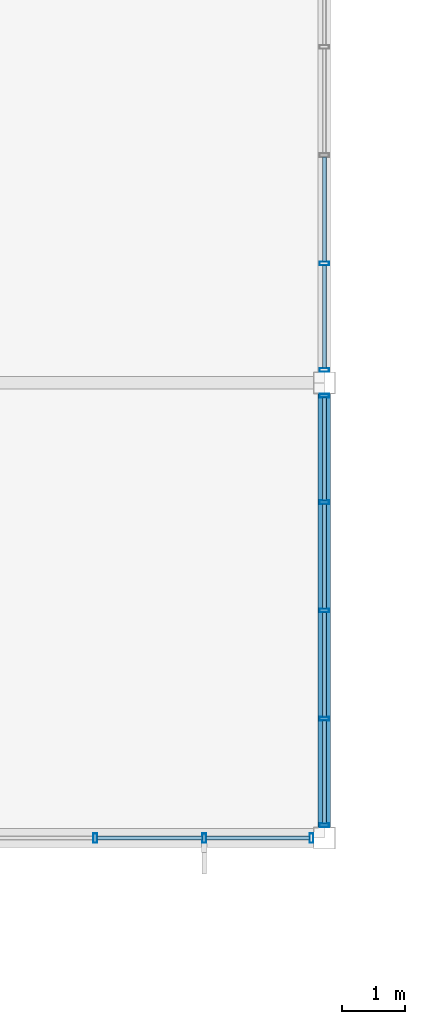
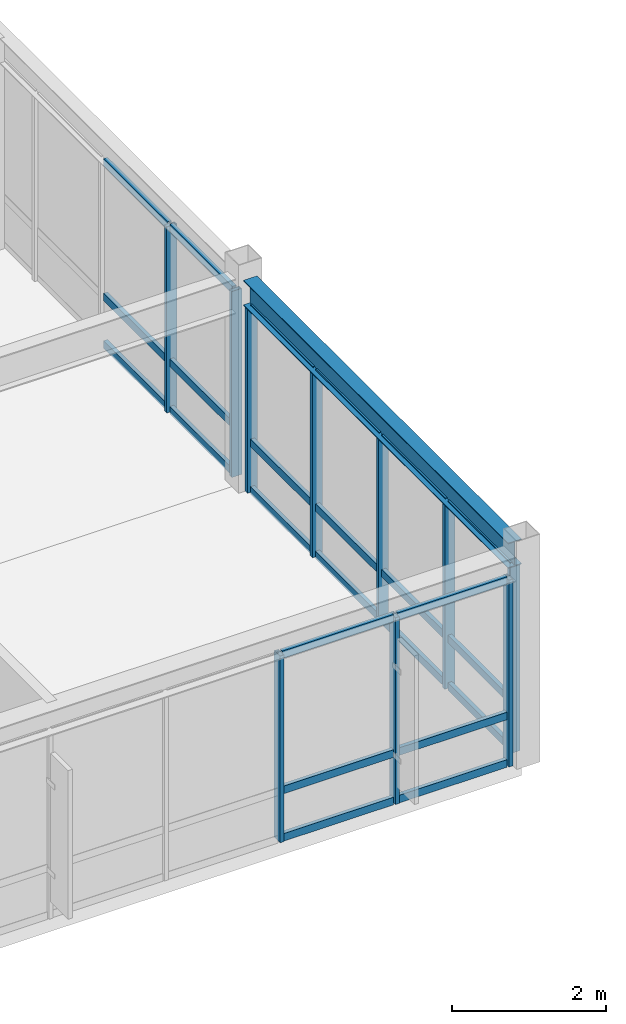
# One storey, part 10 of 34: 34 members, 1 beam, 3 elements without a shape of their own.
"""IFC4 building model written with IfcOpenShell, lengths in metres."""

import ifcopenshell
import ifcopenshell.guid

model = None  # the IFC model being written
_history = None  # IfcOwnerHistory: only IFC2X3 demands one
_inside = {}  # id of a spatial element -> (the spatial element, [elements in it])
_under = {}  # id of a project, library or spatial element -> (it, [spatial elements below it])
_declared = {}  # id of a project -> (the project, [libraries it declares])
_typed = {}  # id of a type object -> (the type object, [elements of that type])
_made_of = {}  # id of a material, layer set ... -> (it, [elements and type objects made of it])


def new_model(schema):
    """Start an empty IFC model of exactly this schema.

    Asked for "IFC4X3", IfcOpenShell would pick the latest addendum, in which some entities
    have other attributes; the version numbers below select the first issue.
    IFC2X3 requires an IfcOwnerHistory on every rooted entity: one is made here for all.
    """
    global model, _history
    if schema == "IFC4X3":
        model = ifcopenshell.file(schema_version=(4, 3, 0, 0))
    else:
        model = ifcopenshell.file(schema=schema)
    _inside.clear()
    _under.clear()
    _declared.clear()
    _typed.clear()
    _made_of.clear()
    _history = None
    if model.schema == "IFC2X3":
        org = make("IfcOrganization", Name="unknown")
        user = make(
            "IfcPersonAndOrganization",
            ThePerson=make("IfcPerson", FamilyName="unknown"),
            TheOrganization=org,
        )
        app = make(
            "IfcApplication",
            ApplicationDeveloper=org,
            Version="unknown",
            ApplicationFullName="unknown",
            ApplicationIdentifier="unknown",
        )
        _history = make(
            "IfcOwnerHistory",
            OwningUser=user,
            OwningApplication=app,
            ChangeAction="ADDED",
            CreationDate=0,
        )
    return model


def make(cls, **values):
    """One entity of the class cls with the attributes given. An attribute that is None is left unset."""
    return model.create_entity(
        cls, **{name: value for name, value in values.items() if value is not None}
    )


def rooted(cls, **values):
    """An entity with a GlobalId (a new one), such as an element, a storey or a relation."""
    return make(cls, GlobalId=ifcopenshell.guid.new(), OwnerHistory=_history, **values)


def si_unit(unit_type, name, prefix=None):
    """IfcSIUnit, for example si_unit("LENGTHUNIT", "METRE", prefix="MILLI")."""
    return make("IfcSIUnit", UnitType=unit_type, Prefix=prefix, Name=name)


def assignment(units):
    """IfcUnitAssignment: the units of a project."""
    return None if units is None else make("IfcUnitAssignment", Units=units)


def point(xyz):
    """IfcCartesianPoint."""
    return None if xyz is None else make("IfcCartesianPoint", Coordinates=xyz)


def direction(xyz):
    """IfcDirection."""
    return None if xyz is None else make("IfcDirection", DirectionRatios=xyz)


def frame(location, z_axis=None, x_axis=None):
    """IfcAxis2Placement3D, a coordinate frame: its origin and axes. An axis left out is left unset."""
    return make(
        "IfcAxis2Placement3D",
        Location=point(location),
        Axis=direction(z_axis),
        RefDirection=direction(x_axis),
    )


def frame_2d(location, x_axis=None):
    """IfcAxis2Placement2D, a coordinate frame in the plane: its origin and x axis."""
    return make(
        "IfcAxis2Placement2D", Location=point(location), RefDirection=direction(x_axis)
    )


def origin():
    """The frame at (0, 0, 0) with its axes left unset."""
    return frame((0.0, 0.0, 0.0))


def origin_2d():
    """The frame at (0, 0) in the plane with its x axis left unset."""
    return frame_2d((0.0, 0.0))


def place(relative_to, where):
    """IfcLocalPlacement: puts the frame where relative to a parent placement (None: the world)."""
    return make(
        "IfcLocalPlacement", PlacementRelTo=relative_to, RelativePlacement=where
    )


def context(
    kind, dimensions, precision=None, world=None, true_north=None, identifier=None
):
    """IfcGeometricRepresentationContext, for example the 3D "Model" context."""
    return make(
        "IfcGeometricRepresentationContext",
        ContextIdentifier=identifier,
        ContextType=kind,
        CoordinateSpaceDimension=dimensions,
        Precision=precision,
        WorldCoordinateSystem=world,
        TrueNorth=true_north,
    )


def subcontext(parent, identifier, kind, view, scale=None):
    """IfcGeometricRepresentationSubContext, for example "Body" below "Model"."""
    return make(
        "IfcGeometricRepresentationSubContext",
        ContextIdentifier=identifier,
        ContextType=kind,
        ParentContext=parent,
        TargetScale=scale,
        TargetView=view,
    )


def project(units=None, contexts=None):
    """IfcProject with its units and contexts."""
    return rooted(
        "IfcProject",
        Name="project",
        RepresentationContexts=contexts,
        UnitsInContext=assignment(units),
    )


def spatial(cls, under=None, at=None, **own):
    """A site, building, storey or space (cls), placed at a placement, below another one or the project."""
    s = rooted(cls, ObjectPlacement=at, **own)
    if under is not None:
        _under.setdefault(under.id(), (under, []))[1].append(s)
    return s


def profile(cls, at=None, kind="AREA", **sizes):
    """A parametric profile (cls). Its sizes go by their IFC names, for example OverallWidth=200.0."""
    return make(cls, ProfileType=kind, Position=at, **sizes)


def hollow_rectangle(**sizes):
    """IfcRectangleHollowProfileDef."""
    return profile("IfcRectangleHollowProfileDef", **sizes)


def i_section(**sizes):
    """IfcIShapeProfileDef."""
    return profile("IfcIShapeProfileDef", **sizes)


def extrude(swept, where, along, depth):
    """IfcExtrudedAreaSolid: the profile swept, set in the frame where, extruded along a direction by depth."""
    return make(
        "IfcExtrudedAreaSolid",
        SweptArea=swept,
        Position=where,
        ExtrudedDirection=direction(along),
        Depth=depth,
    )


def shape(context_of_items, identifier, shape_type, items):
    """IfcShapeRepresentation: the items that make up one representation, for example the "Body"."""
    return make(
        "IfcShapeRepresentation",
        ContextOfItems=context_of_items,
        RepresentationIdentifier=identifier,
        RepresentationType=shape_type,
        Items=items,
    )


def material(Name=None, Category=None):
    """IfcMaterial."""
    return make("IfcMaterial", Name=Name, Category=Category)


def material_profile(
    of_material, cross_section, Name=None, Category=None, Priority=None
):
    """IfcMaterialProfile: a cross section and its material."""
    return make(
        "IfcMaterialProfile",
        Name=Name,
        Material=of_material,
        Profile=cross_section,
        Priority=Priority,
        Category=Category,
    )


def profile_set(profiles, Name=None, composite=None):
    """IfcMaterialProfileSet."""
    return make(
        "IfcMaterialProfileSet",
        Name=Name,
        MaterialProfiles=profiles,
        CompositeProfile=composite,
    )


def made_of(thing, what):
    """Note that an element or type object is made of a material, layer set ...; save() writes the relation."""
    if what is not None:
        _made_of.setdefault(what.id(), (what, []))[1].append(thing)
    return thing


def type_object(cls, material=None, **own):
    """A type object (cls), such as IfcWallType, which elements share."""
    return made_of(rooted(cls, **own), material)


def element(
    cls,
    number,
    at=None,
    inside=None,
    cuts=None,
    type_object=None,
    material=None,
    context=None,
    identifier="Body",
    shape_type=None,
    held_by="IfcProductDefinitionShape",
    body=None,
    shapes=None,
    **own,
):
    """One element of the class cls, such as IfcWall. Its Tag is "e" and its number.

    at: its placement. inside: the storey or other place that contains it. cuts: it is an
    opening in that element (IfcRelVoidsElement). A single representation is given by context,
    identifier, shape_type and body (its items); several are given by shapes. held_by: the class
    of the entity that holds the representations. save() writes the other relations.
    """
    e = rooted(cls, Tag="e%d" % number, ObjectPlacement=at, **own)
    if body is not None:
        shapes = [shape(context, identifier, shape_type, body)]
    if shapes is not None:
        e.Representation = make(held_by, Representations=shapes)
    if inside is not None:
        _inside.setdefault(inside.id(), (inside, []))[1].append(e)
    if cuts is not None:
        rooted(
            "IfcRelVoidsElement", RelatingBuildingElement=cuts, RelatedOpeningElement=e
        )
    if type_object is not None:
        _typed.setdefault(type_object.id(), (type_object, []))[1].append(e)
    return made_of(e, material)


def aggregate(whole, parts):
    """IfcRelAggregates: a whole, such as a stair, and the parts it consists of."""
    return rooted("IfcRelAggregates", RelatingObject=whole, RelatedObjects=parts)


def save(model, path):
    """Write the relations noted so far, then the file.

    IfcRelAggregates (storeys below a building ...), IfcRelContainedInSpatialStructure (elements
    in a storey), IfcRelDefinesByType, IfcRelAssociatesMaterial and IfcRelDeclares: one each for
    every whole, place, type object, material and project.
    """
    for whole, parts in _under.values():
        aggregate(whole, parts)
    for where, things in _inside.values():
        rooted(
            "IfcRelContainedInSpatialStructure",
            RelatedElements=things,
            RelatingStructure=where,
        )
    for kind, things in _typed.values():
        rooted("IfcRelDefinesByType", RelatedObjects=things, RelatingType=kind)
    for what, things in _made_of.values():
        rooted("IfcRelAssociatesMaterial", RelatedObjects=things, RelatingMaterial=what)
    for by, libraries in _declared.values():
        rooted("IfcRelDeclares", RelatingContext=by, RelatedDefinitions=libraries)
    model.write(path)


model = new_model("IFC4")

# Units and contexts
model_context = context("Model", 3, precision=1e-05, world=origin(), true_north=direction((0.0, 1.0)))
body_context = subcontext(model_context, "Body", "Model", "MODEL_VIEW")
ifc_project = project(units=[si_unit("LENGTHUNIT", "METRE"), si_unit("AREAUNIT", "SQUARE_METRE"), si_unit("VOLUMEUNIT", "CUBIC_METRE"), si_unit("PLANEANGLEUNIT", "RADIAN"), si_unit("MASSUNIT", "GRAM", prefix="KILO")], contexts=[model_context])

# Site, building, storey
site_placement = place(None, origin())
site = spatial("IfcSite", under=ifc_project, at=site_placement, CompositionType="ELEMENT")
building_placement = place(site_placement, origin())
building = spatial("IfcBuilding", under=site, at=building_placement, Name="Kazanami Central Library", CompositionType="ELEMENT")
storey_placement = place(building_placement, frame((0.0, 0.0, 17.0)))
storey = spatial("IfcBuildingStorey", under=building, at=storey_placement, Name="L05", CompositionType="ELEMENT", Elevation=17.0)

# Beam
ifc_material_1 = material(Name="Steel SN490B (325 MPa)", Category="steel")
ifc_material_profile_1 = material_profile(ifc_material_1, i_section(OverallWidth=0.199951171875, OverallDepth=0.39990234375, WebThickness=0.008056640625, FlangeThickness=0.012939453125, at=origin_2d()), Name="H-400x200x8x13")
ifc_profile_set_1 = profile_set([ifc_material_profile_1], Name="Steel SN490B (325 MPa)")
beam_type = type_object("IfcBeamType", Name="BM-SP-3", PredefinedType="SPANDREL", material=ifc_profile_set_1)
beam_placement = place(storey_placement, frame((36.0, 64.972900390625, 3.139892578125), z_axis=(0.0, 1.0, 0.0), x_axis=(-1.0, 0.0, 0.0)))
element("IfcBeam", 1, at=beam_placement, inside=storey, type_object=beam_type, Name="Girder SP-3 L05 5/K-L", PredefinedType="SPANDREL", context=body_context, shape_type="SweptSolid", body=[
    extrude(i_section(OverallWidth=0.199951171875, OverallDepth=0.39990234375, WebThickness=0.008056640625, FlangeThickness=0.012939453125, at=origin_2d()), origin(), (0.0, 0.0, 1.0), 6.85400390625),
])

# Curtain wall, members
ifc_material_2 = material(Name="Acid-Etched Low-E Laminated Glass", Category="glass")
curtain_wall_type_1 = type_object("IfcCurtainWallType", Name="CW-8625x2950-M180", PredefinedType="USERDEFINED", material=ifc_material_2)
curtain_wall_1_placement = place(storey_placement, origin())
curtain_wall_1 = element("IfcCurtainWall", 2, at=curtain_wall_1_placement, inside=storey, type_object=curtain_wall_type_1, Name="Unitised Curtain Wall CW-51 L05 S-K-03", ObjectType="UNITISED CURTAIN WALL", PredefinedType="USERDEFINED")
ifc_material_3 = material(Name="Anodised Aluminium A6063-T5", Category="aluminium")
ifc_material_profile_2 = material_profile(ifc_material_3, hollow_rectangle(XDim=0.06005859375, YDim=0.14990234375, WallThickness=0.00390625, at=origin_2d()), Name="ALU-MULL-60x150x4")
ifc_profile_set_2 = profile_set([ifc_material_profile_2], Name="Anodised Aluminium A6063-T5")
member_type_1 = type_object("IfcMemberType", Name="MEM-CW-M3", PredefinedType="MULLION", material=ifc_profile_set_2)
member_1_placement = place(storey_placement, frame((32.375, 64.800048828125, 0.0), z_axis=(0.0, 0.0, 1.0), x_axis=(1.0, 0.0, 0.0)))
member_1 = element("IfcMember", 3, at=member_1_placement, type_object=member_type_1, Name="CW-51 mullion 4", PredefinedType="MULLION", context=body_context, shape_type="SweptSolid", body=[
    extrude(hollow_rectangle(XDim=0.06005859375, YDim=0.14990234375, WallThickness=0.00390625, at=origin_2d()), origin(), (0.0, 0.0, 1.0), 2.949951171875),
])
member_2_placement = place(storey_placement, frame((34.10009765625, 64.800048828125, 0.0), z_axis=(0.0, 0.0, 1.0), x_axis=(1.0, 0.0, 0.0)))
member_2 = element("IfcMember", 4, at=member_2_placement, type_object=member_type_1, Name="CW-51 mullion 5", PredefinedType="MULLION", context=body_context, shape_type="SweptSolid", body=[
    extrude(hollow_rectangle(XDim=0.06005859375, YDim=0.14990234375, WallThickness=0.00390625, at=origin_2d()), origin(), (0.0, 0.0, 1.0), 2.949951171875),
])
member_3_placement = place(storey_placement, frame((35.794921875, 64.800048828125, 0.0), z_axis=(0.0, 0.0, 1.0), x_axis=(1.0, 0.0, 0.0)))
member_3 = element("IfcMember", 5, at=member_3_placement, type_object=member_type_1, Name="CW-51 mullion 6", PredefinedType="MULLION", context=body_context, shape_type="SweptSolid", body=[
    extrude(hollow_rectangle(XDim=0.06005859375, YDim=0.14990234375, WallThickness=0.00390625, at=origin_2d()), origin(), (0.0, 0.0, 1.0), 2.949951171875),
])

curtain_wall_type_2 = type_object("IfcCurtainWallType", Name="CW-6850x2940-M180", PredefinedType="USERDEFINED", material=ifc_material_2)
curtain_wall_2_placement = place(storey_placement, origin())
curtain_wall_2 = element("IfcCurtainWall", 6, at=curtain_wall_2_placement, inside=storey, type_object=curtain_wall_type_2, Name="Covered Link Bridge Curtain Wall CW-52 L05 E-5-09", ObjectType="UNITISED CURTAIN WALL", PredefinedType="USERDEFINED")
member_4_placement = place(storey_placement, frame((36.0, 71.794921875, 0.0), z_axis=(0.0, 0.0, 1.0), x_axis=(0.0, -1.0, 0.0)))
member_4 = element("IfcMember", 7, at=member_4_placement, type_object=member_type_1, Name="CW-52 mullion 1", PredefinedType="MULLION", context=body_context, shape_type="SweptSolid", body=[
    extrude(hollow_rectangle(XDim=0.06005859375, YDim=0.14990234375, WallThickness=0.00390625, at=origin_2d()), origin(), (0.0, 0.0, 1.0), 2.93994140625),
])
member_5_placement = place(storey_placement, frame((36.0, 70.112548828125, 0.0), z_axis=(0.0, 0.0, 1.0), x_axis=(0.0, -1.0, 0.0)))
member_5 = element("IfcMember", 8, at=member_5_placement, type_object=member_type_1, Name="CW-52 mullion 2", PredefinedType="MULLION", context=body_context, shape_type="SweptSolid", body=[
    extrude(hollow_rectangle(XDim=0.06005859375, YDim=0.14990234375, WallThickness=0.00390625, at=origin_2d()), origin(), (0.0, 0.0, 1.0), 2.93994140625),
])
member_6_placement = place(storey_placement, frame((36.0, 68.39990234375, 0.0), z_axis=(0.0, 0.0, 1.0), x_axis=(0.0, -1.0, 0.0)))
member_6 = element("IfcMember", 9, at=member_6_placement, type_object=member_type_1, Name="CW-52 mullion 3", PredefinedType="MULLION", context=body_context, shape_type="SweptSolid", body=[
    extrude(hollow_rectangle(XDim=0.06005859375, YDim=0.14990234375, WallThickness=0.00390625, at=origin_2d()), origin(), (0.0, 0.0, 1.0), 2.93994140625),
])
member_7_placement = place(storey_placement, frame((36.0, 66.6875, 0.0), z_axis=(0.0, 0.0, 1.0), x_axis=(0.0, -1.0, 0.0)))
member_7 = element("IfcMember", 10, at=member_7_placement, type_object=member_type_1, Name="CW-52 mullion 4", PredefinedType="MULLION", context=body_context, shape_type="SweptSolid", body=[
    extrude(hollow_rectangle(XDim=0.06005859375, YDim=0.14990234375, WallThickness=0.00390625, at=origin_2d()), origin(), (0.0, 0.0, 1.0), 2.93994140625),
])
member_8_placement = place(storey_placement, frame((36.0, 65.0048828125, 0.0), z_axis=(0.0, 0.0, 1.0), x_axis=(0.0, -1.0, 0.0)))
member_8 = element("IfcMember", 11, at=member_8_placement, type_object=member_type_1, Name="CW-52 mullion 5", PredefinedType="MULLION", context=body_context, shape_type="SweptSolid", body=[
    extrude(hollow_rectangle(XDim=0.06005859375, YDim=0.14990234375, WallThickness=0.00390625, at=origin_2d()), origin(), (0.0, 0.0, 1.0), 2.93994140625),
])

curtain_wall_3_placement = place(storey_placement, origin())
curtain_wall_3 = element("IfcCurtainWall", 12, at=curtain_wall_3_placement, inside=storey, type_object=curtain_wall_type_2, Name="Covered Link Bridge Curtain Wall CW-52 L05 E-5-10", ObjectType="UNITISED CURTAIN WALL", PredefinedType="USERDEFINED")
member_9_placement = place(storey_placement, frame((36.0, 73.887451171875, 0.0), z_axis=(0.0, 0.0, 1.0), x_axis=(0.0, -1.0, 0.0)))
member_9 = element("IfcMember", 13, at=member_9_placement, type_object=member_type_1, Name="CW-52 mullion 4", PredefinedType="MULLION", context=body_context, shape_type="SweptSolid", body=[
    extrude(hollow_rectangle(XDim=0.06005859375, YDim=0.14990234375, WallThickness=0.00390625, at=origin_2d()), origin(), (0.0, 0.0, 1.0), 2.93994140625),
])
member_10_placement = place(storey_placement, frame((36.0, 72.205078125, 0.0), z_axis=(0.0, 0.0, 1.0), x_axis=(0.0, -1.0, 0.0)))
member_10 = element("IfcMember", 14, at=member_10_placement, type_object=member_type_1, Name="CW-52 mullion 5", PredefinedType="MULLION", context=body_context, shape_type="SweptSolid", body=[
    extrude(hollow_rectangle(XDim=0.06005859375, YDim=0.14990234375, WallThickness=0.00390625, at=origin_2d()), origin(), (0.0, 0.0, 1.0), 2.93994140625),
])

# Member
ifc_material_profile_3 = material_profile(ifc_material_3, hollow_rectangle(XDim=0.06005859375, YDim=0.1201171875, WallThickness=0.00341796875, at=origin_2d()), Name="ALU-TRAN-60x120x3.5")
ifc_profile_set_3 = profile_set([ifc_material_profile_3], Name="Anodised Aluminium A6063-T5")
member_type_2 = type_object("IfcMemberType", Name="MEM-CW-T3", PredefinedType="USERDEFINED", material=ifc_profile_set_3)
member_11_placement = place(storey_placement, frame((32.405029296875, 64.800048828125, 0.030029296875), z_axis=(1.0, 0.0, 0.0), x_axis=(0.0, 1.0, 0.0)))
member_11 = element("IfcMember", 15, at=member_11_placement, type_object=member_type_2, Name="CW-51 transom 4.1", ObjectType="TRANSOM", PredefinedType="USERDEFINED", context=body_context, shape_type="SweptSolid", body=[
    extrude(hollow_rectangle(XDim=0.06005859375, YDim=0.1201171875, WallThickness=0.00341796875, at=origin_2d()), origin(), (0.0, 0.0, 1.0), 1.6650390625),
])

member_12_placement = place(storey_placement, frame((32.405029296875, 64.800048828125, 0.780029296875), z_axis=(1.0, 0.0, 0.0), x_axis=(0.0, 1.0, 0.0)))
member_12 = element("IfcMember", 16, at=member_12_placement, type_object=member_type_2, Name="CW-51 transom 4.2", ObjectType="TRANSOM", PredefinedType="USERDEFINED", context=body_context, shape_type="SweptSolid", body=[
    extrude(hollow_rectangle(XDim=0.06005859375, YDim=0.1201171875, WallThickness=0.00341796875, at=origin_2d()), origin(), (0.0, 0.0, 1.0), 1.6650390625),
])

member_13_placement = place(storey_placement, frame((32.405029296875, 64.800048828125, 2.919921875), z_axis=(1.0, 0.0, 0.0), x_axis=(0.0, 1.0, 0.0)))
member_13 = element("IfcMember", 17, at=member_13_placement, type_object=member_type_2, Name="CW-51 transom 4.3", ObjectType="TRANSOM", PredefinedType="USERDEFINED", context=body_context, shape_type="SweptSolid", body=[
    extrude(hollow_rectangle(XDim=0.06005859375, YDim=0.1201171875, WallThickness=0.00341796875, at=origin_2d()), origin(), (0.0, 0.0, 1.0), 1.6650390625),
])

member_14_placement = place(storey_placement, frame((34.1298828125, 64.800048828125, 0.030029296875), z_axis=(1.0, 0.0, 0.0), x_axis=(0.0, 1.0, 0.0)))
member_14 = element("IfcMember", 18, at=member_14_placement, type_object=member_type_2, Name="CW-51 transom 5.1", ObjectType="TRANSOM", PredefinedType="USERDEFINED", context=body_context, shape_type="SweptSolid", body=[
    extrude(hollow_rectangle(XDim=0.06005859375, YDim=0.1201171875, WallThickness=0.00341796875, at=origin_2d()), origin(), (0.0, 0.0, 1.0), 1.635009765625),
])

member_15_placement = place(storey_placement, frame((34.1298828125, 64.800048828125, 0.780029296875), z_axis=(1.0, 0.0, 0.0), x_axis=(0.0, 1.0, 0.0)))
member_15 = element("IfcMember", 19, at=member_15_placement, type_object=member_type_2, Name="CW-51 transom 5.2", ObjectType="TRANSOM", PredefinedType="USERDEFINED", context=body_context, shape_type="SweptSolid", body=[
    extrude(hollow_rectangle(XDim=0.06005859375, YDim=0.1201171875, WallThickness=0.00341796875, at=origin_2d()), origin(), (0.0, 0.0, 1.0), 1.635009765625),
])

member_16_placement = place(storey_placement, frame((34.1298828125, 64.800048828125, 2.919921875), z_axis=(1.0, 0.0, 0.0), x_axis=(0.0, 1.0, 0.0)))
member_16 = element("IfcMember", 20, at=member_16_placement, type_object=member_type_2, Name="CW-51 transom 5.3", ObjectType="TRANSOM", PredefinedType="USERDEFINED", context=body_context, shape_type="SweptSolid", body=[
    extrude(hollow_rectangle(XDim=0.06005859375, YDim=0.1201171875, WallThickness=0.00341796875, at=origin_2d()), origin(), (0.0, 0.0, 1.0), 1.635009765625),
])

aggregate(curtain_wall_1, [member_1, member_2, member_3, member_11, member_12, member_13, member_14, member_15, member_16])

member_17_placement = place(storey_placement, frame((36.0, 71.764892578125, 0.030029296875), z_axis=(0.0, -1.0, 0.0), x_axis=(1.0, 0.0, 0.0)))
member_17 = element("IfcMember", 21, at=member_17_placement, type_object=member_type_2, Name="CW-52 transom 1.1", ObjectType="TRANSOM", PredefinedType="USERDEFINED", context=body_context, shape_type="SweptSolid", body=[
    extrude(hollow_rectangle(XDim=0.06005859375, YDim=0.1201171875, WallThickness=0.00341796875, at=origin_2d()), origin(), (0.0, 0.0, 1.0), 1.622314453125),
])

member_18_placement = place(storey_placement, frame((36.0, 71.764892578125, 0.780029296875), z_axis=(0.0, -1.0, 0.0), x_axis=(1.0, 0.0, 0.0)))
member_18 = element("IfcMember", 22, at=member_18_placement, type_object=member_type_2, Name="CW-52 transom 1.2", ObjectType="TRANSOM", PredefinedType="USERDEFINED", context=body_context, shape_type="SweptSolid", body=[
    extrude(hollow_rectangle(XDim=0.06005859375, YDim=0.1201171875, WallThickness=0.00341796875, at=origin_2d()), origin(), (0.0, 0.0, 1.0), 1.622314453125),
])

member_19_placement = place(storey_placement, frame((36.0, 71.764892578125, 2.909912109375), z_axis=(0.0, -1.0, 0.0), x_axis=(1.0, 0.0, 0.0)))
member_19 = element("IfcMember", 23, at=member_19_placement, type_object=member_type_2, Name="CW-52 transom 1.3", ObjectType="TRANSOM", PredefinedType="USERDEFINED", context=body_context, shape_type="SweptSolid", body=[
    extrude(hollow_rectangle(XDim=0.06005859375, YDim=0.1201171875, WallThickness=0.00341796875, at=origin_2d()), origin(), (0.0, 0.0, 1.0), 1.622314453125),
])

member_20_placement = place(storey_placement, frame((36.0, 70.08251953125, 0.030029296875), z_axis=(0.0, -1.0, 0.0), x_axis=(1.0, 0.0, 0.0)))
member_20 = element("IfcMember", 24, at=member_20_placement, type_object=member_type_2, Name="CW-52 transom 2.1", ObjectType="TRANSOM", PredefinedType="USERDEFINED", context=body_context, shape_type="SweptSolid", body=[
    extrude(hollow_rectangle(XDim=0.06005859375, YDim=0.1201171875, WallThickness=0.00341796875, at=origin_2d()), origin(), (0.0, 0.0, 1.0), 1.652587890625),
])

member_21_placement = place(storey_placement, frame((36.0, 70.08251953125, 0.780029296875), z_axis=(0.0, -1.0, 0.0), x_axis=(1.0, 0.0, 0.0)))
member_21 = element("IfcMember", 25, at=member_21_placement, type_object=member_type_2, Name="CW-52 transom 2.2", ObjectType="TRANSOM", PredefinedType="USERDEFINED", context=body_context, shape_type="SweptSolid", body=[
    extrude(hollow_rectangle(XDim=0.06005859375, YDim=0.1201171875, WallThickness=0.00341796875, at=origin_2d()), origin(), (0.0, 0.0, 1.0), 1.652587890625),
])

member_22_placement = place(storey_placement, frame((36.0, 70.08251953125, 2.909912109375), z_axis=(0.0, -1.0, 0.0), x_axis=(1.0, 0.0, 0.0)))
member_22 = element("IfcMember", 26, at=member_22_placement, type_object=member_type_2, Name="CW-52 transom 2.3", ObjectType="TRANSOM", PredefinedType="USERDEFINED", context=body_context, shape_type="SweptSolid", body=[
    extrude(hollow_rectangle(XDim=0.06005859375, YDim=0.1201171875, WallThickness=0.00341796875, at=origin_2d()), origin(), (0.0, 0.0, 1.0), 1.652587890625),
])

member_23_placement = place(storey_placement, frame((36.0, 68.3701171875, 0.030029296875), z_axis=(0.0, -1.0, 0.0), x_axis=(1.0, 0.0, 0.0)))
member_23 = element("IfcMember", 27, at=member_23_placement, type_object=member_type_2, Name="CW-52 transom 3.1", ObjectType="TRANSOM", PredefinedType="USERDEFINED", context=body_context, shape_type="SweptSolid", body=[
    extrude(hollow_rectangle(XDim=0.06005859375, YDim=0.1201171875, WallThickness=0.00341796875, at=origin_2d()), origin(), (0.0, 0.0, 1.0), 1.652587890625),
])

member_24_placement = place(storey_placement, frame((36.0, 68.3701171875, 0.780029296875), z_axis=(0.0, -1.0, 0.0), x_axis=(1.0, 0.0, 0.0)))
member_24 = element("IfcMember", 28, at=member_24_placement, type_object=member_type_2, Name="CW-52 transom 3.2", ObjectType="TRANSOM", PredefinedType="USERDEFINED", context=body_context, shape_type="SweptSolid", body=[
    extrude(hollow_rectangle(XDim=0.06005859375, YDim=0.1201171875, WallThickness=0.00341796875, at=origin_2d()), origin(), (0.0, 0.0, 1.0), 1.652587890625),
])

member_25_placement = place(storey_placement, frame((36.0, 68.3701171875, 2.909912109375), z_axis=(0.0, -1.0, 0.0), x_axis=(1.0, 0.0, 0.0)))
member_25 = element("IfcMember", 29, at=member_25_placement, type_object=member_type_2, Name="CW-52 transom 3.3", ObjectType="TRANSOM", PredefinedType="USERDEFINED", context=body_context, shape_type="SweptSolid", body=[
    extrude(hollow_rectangle(XDim=0.06005859375, YDim=0.1201171875, WallThickness=0.00341796875, at=origin_2d()), origin(), (0.0, 0.0, 1.0), 1.652587890625),
])

member_26_placement = place(storey_placement, frame((36.0, 66.657470703125, 0.030029296875), z_axis=(0.0, -1.0, 0.0), x_axis=(1.0, 0.0, 0.0)))
member_26 = element("IfcMember", 30, at=member_26_placement, type_object=member_type_2, Name="CW-52 transom 4.1", ObjectType="TRANSOM", PredefinedType="USERDEFINED", context=body_context, shape_type="SweptSolid", body=[
    extrude(hollow_rectangle(XDim=0.06005859375, YDim=0.1201171875, WallThickness=0.00341796875, at=origin_2d()), origin(), (0.0, 0.0, 1.0), 1.62255859375),
])

member_27_placement = place(storey_placement, frame((36.0, 66.657470703125, 0.780029296875), z_axis=(0.0, -1.0, 0.0), x_axis=(1.0, 0.0, 0.0)))
member_27 = element("IfcMember", 31, at=member_27_placement, type_object=member_type_2, Name="CW-52 transom 4.2", ObjectType="TRANSOM", PredefinedType="USERDEFINED", context=body_context, shape_type="SweptSolid", body=[
    extrude(hollow_rectangle(XDim=0.06005859375, YDim=0.1201171875, WallThickness=0.00341796875, at=origin_2d()), origin(), (0.0, 0.0, 1.0), 1.62255859375),
])

member_28_placement = place(storey_placement, frame((36.0, 66.657470703125, 2.909912109375), z_axis=(0.0, -1.0, 0.0), x_axis=(1.0, 0.0, 0.0)))
member_28 = element("IfcMember", 32, at=member_28_placement, type_object=member_type_2, Name="CW-52 transom 4.3", ObjectType="TRANSOM", PredefinedType="USERDEFINED", context=body_context, shape_type="SweptSolid", body=[
    extrude(hollow_rectangle(XDim=0.06005859375, YDim=0.1201171875, WallThickness=0.00341796875, at=origin_2d()), origin(), (0.0, 0.0, 1.0), 1.62255859375),
])

aggregate(curtain_wall_2, [member_4, member_5, member_6, member_7, member_8, member_17, member_18, member_19, member_20, member_21, member_22, member_23, member_24, member_25, member_26, member_27, member_28])

member_29_placement = place(storey_placement, frame((36.0, 75.570068359375, 0.030029296875), z_axis=(0.0, -1.0, 0.0), x_axis=(1.0, 0.0, 0.0)))
member_29 = element("IfcMember", 33, at=member_29_placement, type_object=member_type_2, Name="CW-52 transom 3.1", ObjectType="TRANSOM", PredefinedType="USERDEFINED", context=body_context, shape_type="SweptSolid", body=[
    extrude(hollow_rectangle(XDim=0.06005859375, YDim=0.1201171875, WallThickness=0.00341796875, at=origin_2d()), origin(), (0.0, 0.0, 1.0), 1.652587890625),
])

member_30_placement = place(storey_placement, frame((36.0, 75.570068359375, 0.780029296875), z_axis=(0.0, -1.0, 0.0), x_axis=(1.0, 0.0, 0.0)))
member_30 = element("IfcMember", 34, at=member_30_placement, type_object=member_type_2, Name="CW-52 transom 3.2", ObjectType="TRANSOM", PredefinedType="USERDEFINED", context=body_context, shape_type="SweptSolid", body=[
    extrude(hollow_rectangle(XDim=0.06005859375, YDim=0.1201171875, WallThickness=0.00341796875, at=origin_2d()), origin(), (0.0, 0.0, 1.0), 1.652587890625),
])

member_31_placement = place(storey_placement, frame((36.0, 75.570068359375, 2.909912109375), z_axis=(0.0, -1.0, 0.0), x_axis=(1.0, 0.0, 0.0)))
member_31 = element("IfcMember", 35, at=member_31_placement, type_object=member_type_2, Name="CW-52 transom 3.3", ObjectType="TRANSOM", PredefinedType="USERDEFINED", context=body_context, shape_type="SweptSolid", body=[
    extrude(hollow_rectangle(XDim=0.06005859375, YDim=0.1201171875, WallThickness=0.00341796875, at=origin_2d()), origin(), (0.0, 0.0, 1.0), 1.652587890625),
])

member_32_placement = place(storey_placement, frame((36.0, 73.857421875, 0.030029296875), z_axis=(0.0, -1.0, 0.0), x_axis=(1.0, 0.0, 0.0)))
member_32 = element("IfcMember", 36, at=member_32_placement, type_object=member_type_2, Name="CW-52 transom 4.1", ObjectType="TRANSOM", PredefinedType="USERDEFINED", context=body_context, shape_type="SweptSolid", body=[
    extrude(hollow_rectangle(XDim=0.06005859375, YDim=0.1201171875, WallThickness=0.00341796875, at=origin_2d()), origin(), (0.0, 0.0, 1.0), 1.622314453125),
])

member_33_placement = place(storey_placement, frame((36.0, 73.857421875, 0.780029296875), z_axis=(0.0, -1.0, 0.0), x_axis=(1.0, 0.0, 0.0)))
member_33 = element("IfcMember", 37, at=member_33_placement, type_object=member_type_2, Name="CW-52 transom 4.2", ObjectType="TRANSOM", PredefinedType="USERDEFINED", context=body_context, shape_type="SweptSolid", body=[
    extrude(hollow_rectangle(XDim=0.06005859375, YDim=0.1201171875, WallThickness=0.00341796875, at=origin_2d()), origin(), (0.0, 0.0, 1.0), 1.622314453125),
])

member_34_placement = place(storey_placement, frame((36.0, 73.857421875, 2.909912109375), z_axis=(0.0, -1.0, 0.0), x_axis=(1.0, 0.0, 0.0)))
member_34 = element("IfcMember", 38, at=member_34_placement, type_object=member_type_2, Name="CW-52 transom 4.3", ObjectType="TRANSOM", PredefinedType="USERDEFINED", context=body_context, shape_type="SweptSolid", body=[
    extrude(hollow_rectangle(XDim=0.06005859375, YDim=0.1201171875, WallThickness=0.00341796875, at=origin_2d()), origin(), (0.0, 0.0, 1.0), 1.622314453125),
])

aggregate(curtain_wall_3, [member_9, member_10, member_29, member_30, member_31, member_32, member_33, member_34])

save(model, "model.ifc")
